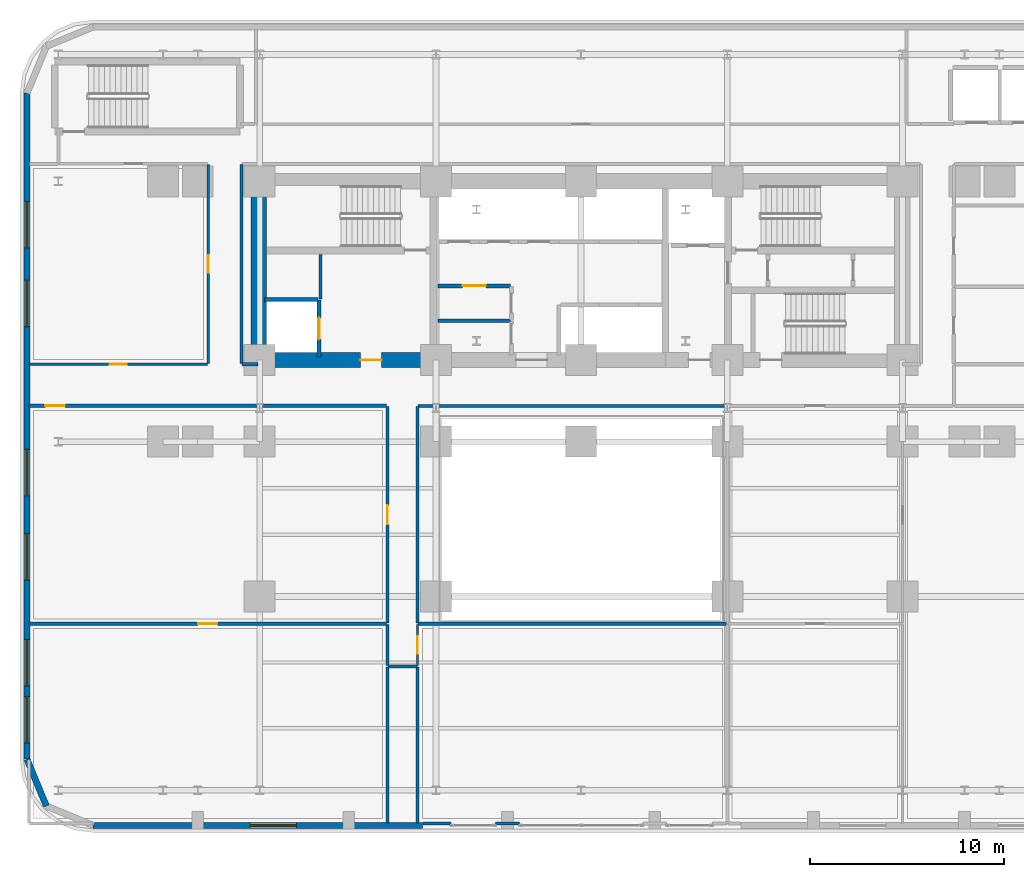
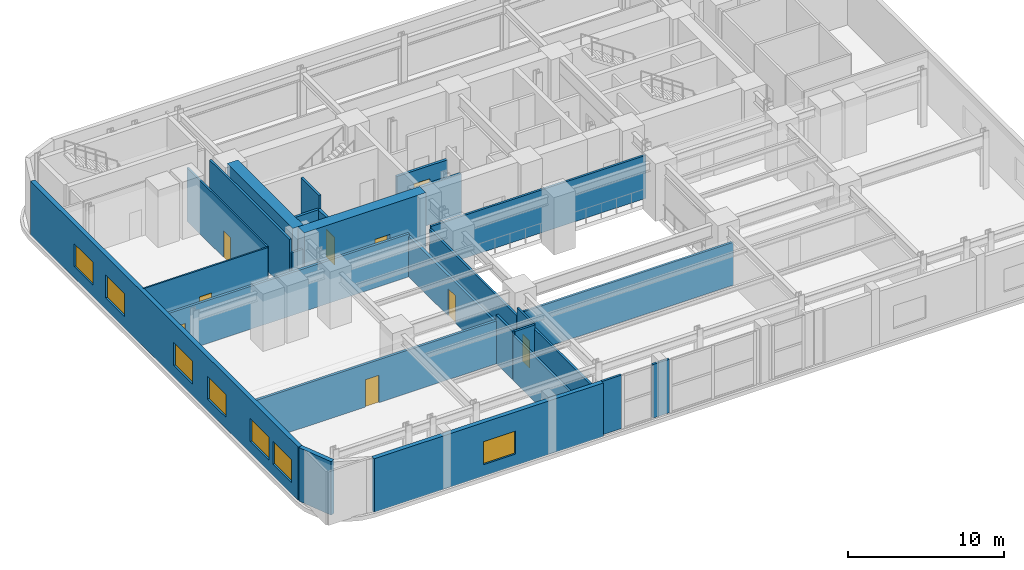
# One storey, part 6 of 14: 27 walls, 9 doors, 7 windows, 16 openings.
"""IFC4 building model written with IfcOpenShell, lengths in metres."""

from ifc_helpers import new_model, si_unit, direction, frame, frame_2d, origin, place, context, subcontext, project, spatial, rectangle, extrude, material, layer, layer_set, type_object, element, fill, save


model = new_model("IFC4")

# Units and contexts
model_context = context("Model", 3, precision=1e-05, world=origin(), true_north=direction((0.0, 1.0)))
body_context = subcontext(model_context, "Body", "Model", "MODEL_VIEW")
ifc_project = project(units=[si_unit("LENGTHUNIT", "METRE"), si_unit("AREAUNIT", "SQUARE_METRE"), si_unit("VOLUMEUNIT", "CUBIC_METRE"), si_unit("PLANEANGLEUNIT", "RADIAN"), si_unit("MASSUNIT", "GRAM", prefix="KILO")], contexts=[model_context])

# Site, building, storey
site_placement = place(None, origin())
site = spatial("IfcSite", under=ifc_project, at=site_placement, CompositionType="ELEMENT")
building_placement = place(site_placement, origin())
building = spatial("IfcBuilding", under=site, at=building_placement, Name="Zarnavel Station Tower", CompositionType="ELEMENT")
storey_placement = place(building_placement, frame((0.0, 0.0, 14.89990234375)))
storey = spatial("IfcBuildingStorey", under=building, at=storey_placement, Name="L04", CompositionType="ELEMENT", Elevation=14.89990234375)

# Wall, opening, door
ifc_material_1 = material(Name="Concrete C60/75", Category="concrete")
ifc_layer_1 = layer(ifc_material_1, 0.800048828125)
ifc_layer_set_1 = layer_set([ifc_layer_1], Name="CW_800")
wall_type_1 = type_object("IfcWallType", Name="CW_800", PredefinedType="SHEAR", material=ifc_layer_set_1)
wall_1_placement = place(storey_placement, frame((21.179931640625, 27.820068359375, 0.0), z_axis=(0.0, 0.0, 1.0), x_axis=(-1.0, 0.0, 0.0)))
wall_1 = element("IfcWall", 1, at=wall_1_placement, inside=storey, type_object=wall_type_1, Name="L04 Rear Core Shear Wall S-W", PredefinedType="SHEAR", context=body_context, shape_type="SweptSolid", body=[
    extrude(rectangle(XDim=9.030029296875, YDim=0.800048828125, at=frame_2d((4.51513671875, 0.0))), origin(), (0.0, 0.0, 1.0), 4.5),
])
opening_1_placement = place(wall_1_placement, frame((2.679931640625, 0.0, 0.0)))
opening_1 = element("IfcOpeningElement", 2, at=opening_1_placement, cuts=wall_1, Name="Opening FD01", PredefinedType="OPENING", context=body_context, shape_type="SweptSolid", body=[
    extrude(rectangle(XDim=1.10009765625, YDim=2.14990234375, at=frame_2d((0.550048828125, 1.074951171875))), frame((0.0, 0.409912109375, 0.0), z_axis=(0.0, -1.0, 0.0), x_axis=(1.0, 0.0, 0.0)), (0.0, 0.0, 1.0), 0.820068359375),
])
ifc_material_2 = material(Name="Painted Galvanised Steel and Hardwood Leaf", Category="steel")
door_type_1 = type_object("IfcDoorType", Name="ID_STAIR_1100", OperationType="NOTDEFINED", PredefinedType="DOOR", material=ifc_material_2)
door_1_placement = place(opening_1_placement, origin())
door_1 = element("IfcDoor", 3, at=door_1_placement, inside=storey, type_object=door_type_1, Name="L04 West Firefighting Lobby Door", OperationType="SINGLE_SWING_RIGHT", OverallHeight=2.14990234375, OverallWidth=1.10009765625, PredefinedType="DOOR", context=body_context, shape_type="SweptSolid", body=[
    extrude(rectangle(XDim=1.10009765625, YDim=2.14990234375, at=frame_2d((0.550048828125, 1.074951171875))), frame((0.0, 0.02490234375, 0.0), z_axis=(0.0, -1.0, 0.0), x_axis=(1.0, 0.0, 0.0)), (0.0, 0.0, 1.0), 0.050048828125),
])
fill(opening_1, door_1)

# Wall
wall_2_placement = place(storey_placement, frame((12.14990234375, 28.219970703125, 0.0), z_axis=(0.0, 0.0, 1.0), x_axis=(0.0, 1.0, 0.0)))
element("IfcWall", 4, at=wall_2_placement, inside=storey, type_object=wall_type_1, Name="L04 Rear Core Shear Wall W", PredefinedType="SHEAR", context=body_context, shape_type="SweptSolid", body=[
    extrude(rectangle(XDim=8.429931640625, YDim=0.800048828125, at=frame_2d((4.21484375, 0.0))), origin(), (0.0, 0.0, 1.0), 4.5),
])

# Wall, openings, windows
ifc_material_3 = material(Name="Precast concrete C45/55 (Podium Basalt Frame)", Category="masonry")
ifc_layer_2 = layer(ifc_material_3, 0.320068359375)
ifc_layer_set_2 = layer_set([ifc_layer_2], Name="EW_BASALT_320")
wall_type_2 = type_object("IfcWallType", Name="EW_BASALT_320", PredefinedType="SOLIDWALL", material=ifc_layer_set_2)
wall_3_placement = place(storey_placement, frame((0.179931640625, 7.199951171875, 0.0), z_axis=(0.0, 0.0, 1.0), x_axis=(0.0, 1.0, 0.0)))
wall_3 = element("IfcWall", 5, at=wall_3_placement, inside=storey, type_object=wall_type_2, Name="L04 Exterior Basalt Masonry Frame Wall 09", PredefinedType="SOLIDWALL", context=body_context, shape_type="SweptSolid", body=[
    extrude(rectangle(XDim=34.400146484375, YDim=0.320068359375, at=frame_2d((17.2001953125, 0.0))), origin(), (0.0, 0.0, 1.0), 4.2001953125),
])
opening_2_placement = place(wall_3_placement, frame((22.35009765625, 0.0, 0.89990234375)))
opening_2 = element("IfcOpeningElement", 6, at=opening_2_placement, cuts=wall_3, Name="Opening WN03", PredefinedType="OPENING", context=body_context, shape_type="SweptSolid", body=[
    extrude(rectangle(XDim=2.39990234375, YDim=1.800048828125, at=frame_2d((1.199951171875, 0.89990234375))), frame((0.0, 0.169921875, 0.0), z_axis=(0.0, -1.0, 0.0), x_axis=(1.0, 0.0, 0.0)), (0.0, 0.0, 1.0), 0.340087890625),
])
opening_3_placement = place(wall_3_placement, frame((26.39990234375, 0.0, 0.89990234375)))
opening_3 = element("IfcOpeningElement", 7, at=opening_3_placement, cuts=wall_3, Name="Opening WN03", PredefinedType="OPENING", context=body_context, shape_type="SweptSolid", body=[
    extrude(rectangle(XDim=2.39990234375, YDim=1.800048828125, at=frame_2d((1.199951171875, 0.89990234375))), frame((0.0, 0.169921875, 0.0), z_axis=(0.0, -1.0, 0.0), x_axis=(1.0, 0.0, 0.0)), (0.0, 0.0, 1.0), 0.340087890625),
])
opening_4_placement = place(wall_3_placement, frame((0.8466796875, 0.0, 0.89990234375)))
opening_4 = element("IfcOpeningElement", 8, at=opening_4_placement, cuts=wall_3, Name="Opening WN03", PredefinedType="OPENING", context=body_context, shape_type="SweptSolid", body=[
    extrude(rectangle(XDim=2.39990234375, YDim=1.800048828125, at=frame_2d((1.199951171875, 0.89990234375))), frame((0.0, 0.169921875, 0.0), z_axis=(0.0, -1.0, 0.0), x_axis=(1.0, 0.0, 0.0)), (0.0, 0.0, 1.0), 0.340087890625),
])
opening_5_placement = place(wall_3_placement, frame((3.773193359375, 0.0, 0.89990234375)))
opening_5 = element("IfcOpeningElement", 9, at=opening_5_placement, cuts=wall_3, Name="Opening WN03", PredefinedType="OPENING", context=body_context, shape_type="SweptSolid", body=[
    extrude(rectangle(XDim=2.39990234375, YDim=1.800048828125, at=frame_2d((1.199951171875, 0.89990234375))), frame((0.0, 0.169921875, 0.0), z_axis=(0.0, -1.0, 0.0), x_axis=(1.0, 0.0, 0.0)), (0.0, 0.0, 1.0), 0.340087890625),
])
opening_6_placement = place(wall_3_placement, frame((9.25, 0.0, 0.89990234375)))
opening_6 = element("IfcOpeningElement", 10, at=opening_6_placement, cuts=wall_3, Name="Opening WN03", PredefinedType="OPENING", context=body_context, shape_type="SweptSolid", body=[
    extrude(rectangle(XDim=2.39990234375, YDim=1.800048828125, at=frame_2d((1.199951171875, 0.89990234375))), frame((0.0, 0.169921875, 0.0), z_axis=(0.0, -1.0, 0.0), x_axis=(1.0, 0.0, 0.0)), (0.0, 0.0, 1.0), 0.340087890625),
])
opening_7_placement = place(wall_3_placement, frame((13.60009765625, 0.0, 0.89990234375)))
opening_7 = element("IfcOpeningElement", 11, at=opening_7_placement, cuts=wall_3, Name="Opening WN03", PredefinedType="OPENING", context=body_context, shape_type="SweptSolid", body=[
    extrude(rectangle(XDim=2.39990234375, YDim=1.800048828125, at=frame_2d((1.199951171875, 0.89990234375))), frame((0.0, 0.169921875, 0.0), z_axis=(0.0, -1.0, 0.0), x_axis=(1.0, 0.0, 0.0)), (0.0, 0.0, 1.0), 0.340087890625),
])
ifc_material_4 = material(Name="Thermally Broken Black Aluminium and Low-E Dark Glass", Category="aluminium")
window_type = type_object("IfcWindowType", Name="WN_2400x1800", PartitioningType="TRIPLE_PANEL_VERTICAL", PredefinedType="WINDOW", material=ifc_material_4)
window_1_placement = place(opening_2_placement, origin())
window_1 = element("IfcWindow", 12, at=window_1_placement, inside=storey, type_object=window_type, Name="L04 Recessed Facade Window 01", OverallHeight=1.800048828125, OverallWidth=2.39990234375, PartitioningType="SINGLE_PANEL", PredefinedType="WINDOW", context=body_context, shape_type="SweptSolid", body=[
    extrude(rectangle(XDim=2.39990234375, YDim=1.800048828125, at=frame_2d((1.199951171875, 0.89990234375))), frame((0.0, 0.030029296875, 0.0), z_axis=(0.0, -1.0, 0.0), x_axis=(1.0, 0.0, 0.0)), (0.0, 0.0, 1.0), 0.06005859375),
])
fill(opening_2, window_1)
window_2_placement = place(opening_3_placement, origin())
window_2 = element("IfcWindow", 13, at=window_2_placement, inside=storey, type_object=window_type, Name="L04 Recessed Facade Window 02", OverallHeight=1.800048828125, OverallWidth=2.39990234375, PartitioningType="SINGLE_PANEL", PredefinedType="WINDOW", context=body_context, shape_type="SweptSolid", body=[
    extrude(rectangle(XDim=2.39990234375, YDim=1.800048828125, at=frame_2d((1.199951171875, 0.89990234375))), frame((0.0, 0.030029296875, 0.0), z_axis=(0.0, -1.0, 0.0), x_axis=(1.0, 0.0, 0.0)), (0.0, 0.0, 1.0), 0.06005859375),
])
fill(opening_3, window_2)
window_3_placement = place(opening_4_placement, origin())
window_3 = element("IfcWindow", 14, at=window_3_placement, inside=storey, type_object=window_type, Name="L04 Recessed Facade Window 03", OverallHeight=1.800048828125, OverallWidth=2.39990234375, PartitioningType="SINGLE_PANEL", PredefinedType="WINDOW", context=body_context, shape_type="SweptSolid", body=[
    extrude(rectangle(XDim=2.39990234375, YDim=1.800048828125, at=frame_2d((1.199951171875, 0.89990234375))), frame((0.0, 0.030029296875, 0.0), z_axis=(0.0, -1.0, 0.0), x_axis=(1.0, 0.0, 0.0)), (0.0, 0.0, 1.0), 0.06005859375),
])
fill(opening_4, window_3)
window_4_placement = place(opening_5_placement, origin())
window_4 = element("IfcWindow", 15, at=window_4_placement, inside=storey, type_object=window_type, Name="L04 Recessed Facade Window 04", OverallHeight=1.800048828125, OverallWidth=2.39990234375, PartitioningType="SINGLE_PANEL", PredefinedType="WINDOW", context=body_context, shape_type="SweptSolid", body=[
    extrude(rectangle(XDim=2.39990234375, YDim=1.800048828125, at=frame_2d((1.199951171875, 0.89990234375))), frame((0.0, 0.030029296875, 0.0), z_axis=(0.0, -1.0, 0.0), x_axis=(1.0, 0.0, 0.0)), (0.0, 0.0, 1.0), 0.06005859375),
])
fill(opening_5, window_4)
window_5_placement = place(opening_6_placement, origin())
window_5 = element("IfcWindow", 16, at=window_5_placement, inside=storey, type_object=window_type, Name="L04 Recessed Facade Window 05", OverallHeight=1.800048828125, OverallWidth=2.39990234375, PartitioningType="SINGLE_PANEL", PredefinedType="WINDOW", context=body_context, shape_type="SweptSolid", body=[
    extrude(rectangle(XDim=2.39990234375, YDim=1.800048828125, at=frame_2d((1.199951171875, 0.89990234375))), frame((0.0, 0.030029296875, 0.0), z_axis=(0.0, -1.0, 0.0), x_axis=(1.0, 0.0, 0.0)), (0.0, 0.0, 1.0), 0.06005859375),
])
fill(opening_6, window_5)
window_6_placement = place(opening_7_placement, origin())
window_6 = element("IfcWindow", 17, at=window_6_placement, inside=storey, type_object=window_type, Name="L04 Recessed Facade Window 06", OverallHeight=1.800048828125, OverallWidth=2.39990234375, PartitioningType="SINGLE_PANEL", PredefinedType="WINDOW", context=body_context, shape_type="SweptSolid", body=[
    extrude(rectangle(XDim=2.39990234375, YDim=1.800048828125, at=frame_2d((1.199951171875, 0.89990234375))), frame((0.0, 0.030029296875, 0.0), z_axis=(0.0, -1.0, 0.0), x_axis=(1.0, 0.0, 0.0)), (0.0, 0.0, 1.0), 0.06005859375),
])
fill(opening_7, window_6)

# Wall
wall_4_placement = place(storey_placement, frame((1.181640625, 4.78173828125, 0.0), z_axis=(0.0, 0.0, 1.0), x_axis=(-0.382700522567, 0.923872453333, 0.0)))
element("IfcWall", 18, at=wall_4_placement, inside=storey, type_object=wall_type_2, Name="L04 Exterior Basalt Masonry Frame Wall 10", PredefinedType="SOLIDWALL", context=body_context, shape_type="SweptSolid", body=[
    extrude(rectangle(XDim=2.617431640625, YDim=0.320068359375, at=frame_2d((1.30859375, 0.0))), origin(), (0.0, 0.0, 1.0), 4.2001953125),
])

# Wall, opening, window
wall_5_placement = place(storey_placement, frame((20.60009765625, 3.780029296875, 0.0), z_axis=(0.0, 0.0, 1.0), x_axis=(-1.0, 0.0, 0.0)))
wall_5 = element("IfcWall", 19, at=wall_5_placement, inside=storey, type_object=wall_type_2, Name="L04 South West Masonry Facade Wall", PredefinedType="SOLIDWALL", context=body_context, shape_type="SweptSolid", body=[
    extrude(rectangle(XDim=17.0, YDim=0.320068359375, at=frame_2d((8.5, 0.0))), origin(), (0.0, 0.0, 1.0), 4.2001953125),
])
opening_8_placement = place(wall_5_placement, frame((6.5, 0.0, 0.89990234375)))
opening_8 = element("IfcOpeningElement", 20, at=opening_8_placement, cuts=wall_5, Name="Opening WN03", PredefinedType="OPENING", context=body_context, shape_type="SweptSolid", body=[
    extrude(rectangle(XDim=2.39990234375, YDim=1.800048828125, at=frame_2d((1.199951171875, 0.89990234375))), frame((0.0, 0.169921875, 0.0), z_axis=(0.0, -1.0, 0.0), x_axis=(1.0, 0.0, 0.0)), (0.0, 0.0, 1.0), 0.340087890625),
])
window_7_placement = place(opening_8_placement, origin())
window_7 = element("IfcWindow", 21, at=window_7_placement, inside=storey, type_object=window_type, Name="L04 Recessed Facade Window 01", OverallHeight=1.800048828125, OverallWidth=2.39990234375, PartitioningType="SINGLE_PANEL", PredefinedType="WINDOW", context=body_context, shape_type="SweptSolid", body=[
    extrude(rectangle(XDim=2.39990234375, YDim=1.800048828125, at=frame_2d((1.199951171875, 0.89990234375))), frame((0.0, 0.030029296875, 0.0), z_axis=(0.0, -1.0, 0.0), x_axis=(1.0, 0.0, 0.0)), (0.0, 0.0, 1.0), 0.06005859375),
])
fill(opening_8, window_7)

# Walls
ifc_material_5 = material(Name="Gypsum Twin-Stud Acoustic Fire Partition", Category="concrete")
ifc_layer_3 = layer(ifc_material_5, 0.159912109375)
ifc_layer_set_3 = layer_set([ifc_layer_3], Name="PT_DEMISE_160")
wall_type_3 = type_object("IfcWallType", Name="PT_DEMISE_160", PredefinedType="PARTITIONING", material=ifc_layer_set_3)
wall_6_placement = place(storey_placement, frame((18.800048828125, 12.0400390625, 0.0), z_axis=(0.0, 0.0, 1.0), x_axis=(0.0, 1.0, 0.0)))
element("IfcWall", 22, at=wall_6_placement, inside=storey, type_object=wall_type_3, Name="L04 Partition PCOR-AW-REST1", PredefinedType="PARTITIONING", context=body_context, shape_type="SweptSolid", body=[
    extrude(rectangle(XDim=2.119873046875, YDim=0.159912109375, at=frame_2d((1.06005859375, 0.0))), origin(), (0.0, 0.0, 1.0), 3.820068359375),
])
wall_7_placement = place(storey_placement, frame((15.35009765625, 30.9599609375, 0.0), z_axis=(0.0, 0.0, 1.0), x_axis=(0.0, 1.0, 0.0)))
element("IfcWall", 23, at=wall_7_placement, inside=storey, type_object=wall_type_3, Name="L04 Enclosure Wall FFL1", PredefinedType="PARTITIONING", context=body_context, shape_type="SweptSolid", body=[
    extrude(rectangle(XDim=2.31005859375, YDim=0.159912109375, at=frame_2d((1.155029296875, 0.0))), origin(), (0.0, 0.0, 1.0), 4.2001953125),
])
wall_8_placement = place(storey_placement, frame((20.3798828125, 25.449951171875, 0.0), z_axis=(0.0, 0.0, 1.0), x_axis=(1.0, 0.0, 0.0)))
element("IfcWall", 24, at=wall_8_placement, inside=storey, type_object=wall_type_3, Name="L04 Enclosure Wall PCOR-S", PredefinedType="PARTITIONING", context=body_context, shape_type="SweptSolid", body=[
    extrude(rectangle(XDim=15.940185546875, YDim=0.159912109375, at=frame_2d((7.97021484375, 0.0))), origin(), (0.0, 0.0, 1.0), 3.3662109375),
])
wall_9_placement = place(storey_placement, frame((11.280029296875, 27.60009765625, 0.0), z_axis=(0.0, 0.0, 1.0), x_axis=(1.0, 0.0, 0.0)))
element("IfcWall", 25, at=wall_9_placement, inside=storey, type_object=wall_type_3, Name="L04 Enclosure Wall PCOR-S", PredefinedType="PARTITIONING", context=body_context, shape_type="SweptSolid", body=[
    extrude(rectangle(XDim=0.840087890625, YDim=0.159912109375, at=frame_2d((0.419921875, 0.0))), origin(), (0.0, 0.0, 1.0), 3.172119140625),
])
wall_10_placement = place(storey_placement, frame((11.25, 27.6298828125, 0.0), z_axis=(0.0, 0.0, 1.0), x_axis=(0.0, 1.0, 0.0)))
element("IfcWall", 26, at=wall_10_placement, inside=storey, type_object=wall_type_3, Name="L04 Enclosure Wall PCOR-W", PredefinedType="PARTITIONING", context=body_context, shape_type="SweptSolid", body=[
    extrude(rectangle(XDim=10.2900390625, YDim=0.159912109375, at=frame_2d((5.14501953125, 0.0))), origin(), (0.0, 0.0, 1.0), 4.2001953125),
])
wall_11_placement = place(storey_placement, frame((18.830078125, 12.0, 0.0), z_axis=(0.0, 0.0, 1.0), x_axis=(1.0, 0.0, 0.0)))
element("IfcWall", 27, at=wall_11_placement, inside=storey, type_object=wall_type_3, Name="L04 Enclosure Wall PCOR-AW", PredefinedType="PARTITIONING", context=body_context, shape_type="SweptSolid", body=[
    extrude(rectangle(XDim=1.489990234375, YDim=0.159912109375, at=frame_2d((0.7451171875, 0.0))), origin(), (0.0, 0.0, 1.0), 3.820068359375),
])
wall_12_placement = place(storey_placement, frame((20.35009765625, 14.22998046875, 0.0), z_axis=(0.0, 0.0, 1.0), x_axis=(0.0, 1.0, 0.0)))
element("IfcWall", 28, at=wall_12_placement, inside=storey, type_object=wall_type_3, Name="L04 Enclosure Wall PCOR-AW", PredefinedType="PARTITIONING", context=body_context, shape_type="SweptSolid", body=[
    extrude(rectangle(XDim=11.18994140625, YDim=0.159912109375, at=frame_2d((5.594970703125, 0.0))), origin(), (0.0, 0.0, 1.0), 3.172119140625),
])
wall_13_placement = place(storey_placement, frame((18.800048828125, 3.909912109375, 0.0), z_axis=(0.0, 0.0, 1.0), x_axis=(0.0, 1.0, 0.0)))
element("IfcWall", 29, at=wall_13_placement, inside=storey, type_object=wall_type_3, Name="L04 Enclosure Wall REST1", PredefinedType="PARTITIONING", context=body_context, shape_type="SweptSolid", body=[
    extrude(rectangle(XDim=8.06005859375, YDim=0.159912109375, at=frame_2d((4.030029296875, 0.0))), origin(), (0.0, 0.0, 1.0), 3.530029296875),
])
wall_14_placement = place(storey_placement, frame((20.6298828125, 3.8798828125, 0.0), z_axis=(0.0, 0.0, 1.0), x_axis=(1.0, 0.0, 0.0)))
element("IfcWall", 30, at=wall_14_placement, inside=storey, type_object=wall_type_3, Name="L04 Enclosure Wall TERD", PredefinedType="PARTITIONING", context=body_context, shape_type="SweptSolid", body=[
    extrude(rectangle(XDim=1.440185546875, YDim=0.159912109375, at=frame_2d((0.72021484375, 0.0))), origin(), (0.0, 0.0, 1.0), 4.2001953125),
])
wall_15_placement = place(storey_placement, frame((24.385986328125, 3.8798828125, 0.0), z_axis=(0.0, 0.0, 1.0), x_axis=(1.0, 0.0, 0.0)))
element("IfcWall", 31, at=wall_15_placement, inside=storey, type_object=wall_type_3, Name="L04 Enclosure Wall TERD", PredefinedType="PARTITIONING", context=body_context, shape_type="SweptSolid", body=[
    extrude(rectangle(XDim=1.22802734375, YDim=0.159912109375, at=frame_2d((0.614013671875, 0.0))), origin(), (0.0, 0.0, 1.0), 4.2001953125),
])
wall_16_placement = place(storey_placement, frame((20.3798828125, 14.199951171875, 0.0), z_axis=(0.0, 0.0, 1.0), x_axis=(1.0, 0.0, 0.0)))
element("IfcWall", 32, at=wall_16_placement, inside=storey, type_object=wall_type_3, Name="L04 Enclosure Wall TERD", PredefinedType="PARTITIONING", context=body_context, shape_type="SweptSolid", body=[
    extrude(rectangle(XDim=15.940185546875, YDim=0.159912109375, at=frame_2d((7.97021484375, 0.0))), origin(), (0.0, 0.0, 1.0), 3.3662109375),
])
wall_17_placement = place(storey_placement, frame((20.35009765625, 3.909912109375, 0.0), z_axis=(0.0, 0.0, 1.0), x_axis=(0.0, 1.0, 0.0)))
element("IfcWall", 33, at=wall_17_placement, inside=storey, type_object=wall_type_3, Name="L04 Enclosure Wall TERD", PredefinedType="PARTITIONING", context=body_context, shape_type="SweptSolid", body=[
    extrude(rectangle(XDim=8.06005859375, YDim=0.159912109375, at=frame_2d((4.030029296875, 0.0))), origin(), (0.0, 0.0, 1.0), 3.530029296875),
])

# Wall, opening, door
ifc_material_6 = material(Name="Gypsum Metal-Stud Interior Partition", Category="concrete")
ifc_layer_4 = layer(ifc_material_6, 0.1201171875)
ifc_layer_set_4 = layer_set([ifc_layer_4], Name="PT_ROOM_120")
wall_type_4 = type_object("IfcWallType", Name="PT_ROOM_120", PredefinedType="PARTITIONING", material=ifc_layer_set_4)
wall_18_placement = place(storey_placement, frame((0.280029296875, 27.60009765625, 0.0), z_axis=(0.0, 0.0, 1.0), x_axis=(1.0, 0.0, 0.0)))
wall_18 = element("IfcWall", 34, at=wall_18_placement, inside=storey, type_object=wall_type_4, Name="L04 Partition PCOR-S-PNW", PredefinedType="PARTITIONING", context=body_context, shape_type="SweptSolid", body=[
    extrude(rectangle(XDim=9.22998046875, YDim=0.1201171875, at=frame_2d((4.614990234375, 0.0))), origin(), (0.0, 0.0, 1.0), 4.2001953125),
])
opening_9_placement = place(wall_18_placement, frame((4.1650390625, 0.0, 0.0)))
opening_9 = element("IfcOpeningElement", 35, at=opening_9_placement, cuts=wall_18, Name="Opening ID01", PredefinedType="OPENING", context=body_context, shape_type="SweptSolid", body=[
    extrude(rectangle(XDim=0.89990234375, YDim=2.10009765625, at=frame_2d((0.449951171875, 1.050048828125))), frame((0.0, 0.070068359375, 0.0), z_axis=(0.0, -1.0, 0.0), x_axis=(1.0, 0.0, 0.0)), (0.0, 0.0, 1.0), 0.14013671875),
])
ifc_material_7 = material(Name="Painted Galvanised Steel and Hardwood Leaf", Category="steel")
door_type_2 = type_object("IfcDoorType", Name="ID_ROOM_900", OperationType="NOTDEFINED", PredefinedType="DOOR", material=ifc_material_7)
door_2_placement = place(opening_9_placement, origin())
door_2 = element("IfcDoor", 36, at=door_2_placement, inside=storey, type_object=door_type_2, Name="L04 Door PCOR-S-PNW", OperationType="SINGLE_SWING_RIGHT", OverallHeight=2.10009765625, OverallWidth=0.89990234375, PredefinedType="DOOR", context=body_context, shape_type="SweptSolid", body=[
    extrude(rectangle(XDim=0.89990234375, YDim=2.10009765625, at=frame_2d((0.449951171875, 1.050048828125))), frame((0.0, 0.02490234375, 0.0), z_axis=(0.0, -1.0, 0.0), x_axis=(1.0, 0.0, 0.0)), (0.0, 0.0, 1.0), 0.050048828125),
])
fill(opening_9, door_2)

wall_19_placement = place(storey_placement, frame((9.550048828125, 27.639892578125, 0.0), z_axis=(0.0, 0.0, 1.0), x_axis=(0.0, 1.0, 0.0)))
wall_19 = element("IfcWall", 37, at=wall_19_placement, inside=storey, type_object=wall_type_4, Name="L04 Partition PCOR-W-PNW", PredefinedType="PARTITIONING", context=body_context, shape_type="SweptSolid", body=[
    extrude(rectangle(XDim=10.27001953125, YDim=0.1201171875, at=frame_2d((5.135009765625, 0.0))), origin(), (0.0, 0.0, 1.0), 4.2001953125),
])
opening_10_placement = place(wall_19_placement, frame((4.68505859375, 0.0, 0.0)))
opening_10 = element("IfcOpeningElement", 38, at=opening_10_placement, cuts=wall_19, Name="Opening ID01", PredefinedType="OPENING", context=body_context, shape_type="SweptSolid", body=[
    extrude(rectangle(XDim=0.89990234375, YDim=2.10009765625, at=frame_2d((0.449951171875, 1.050048828125))), frame((0.0, 0.070068359375, 0.0), z_axis=(0.0, -1.0, 0.0), x_axis=(1.0, 0.0, 0.0)), (0.0, 0.0, 1.0), 0.14013671875),
])
door_3_placement = place(opening_10_placement, origin())
door_3 = element("IfcDoor", 39, at=door_3_placement, inside=storey, type_object=door_type_2, Name="L04 Door PCOR-W-PNW", OperationType="SINGLE_SWING_LEFT", OverallHeight=2.10009765625, OverallWidth=0.89990234375, PredefinedType="DOOR", context=body_context, shape_type="SweptSolid", body=[
    extrude(rectangle(XDim=0.89990234375, YDim=2.10009765625, at=frame_2d((0.449951171875, 1.050048828125))), frame((0.0, 0.02490234375, 0.0), z_axis=(0.0, -1.0, 0.0), x_axis=(1.0, 0.0, 0.0)), (0.0, 0.0, 1.0), 0.050048828125),
])
fill(opening_10, door_3)

wall_20_placement = place(storey_placement, frame((20.35009765625, 12.0400390625, 0.0), z_axis=(0.0, 0.0, 1.0), x_axis=(0.0, 1.0, 0.0)))
wall_20 = element("IfcWall", 40, at=wall_20_placement, inside=storey, type_object=wall_type_4, Name="L04 Partition PCOR-AW-TERD", PredefinedType="PARTITIONING", context=body_context, shape_type="SweptSolid", body=[
    extrude(rectangle(XDim=2.119873046875, YDim=0.1201171875, at=frame_2d((1.06005859375, 0.0))), origin(), (0.0, 0.0, 1.0), 3.820068359375),
])
opening_11_placement = place(wall_20_placement, frame((0.610107421875, 0.0, 0.0)))
opening_11 = element("IfcOpeningElement", 41, at=opening_11_placement, cuts=wall_20, Name="Opening ID01", PredefinedType="OPENING", context=body_context, shape_type="SweptSolid", body=[
    extrude(rectangle(XDim=0.89990234375, YDim=2.10009765625, at=frame_2d((0.449951171875, 1.050048828125))), frame((0.0, 0.070068359375, 0.0), z_axis=(0.0, -1.0, 0.0), x_axis=(1.0, 0.0, 0.0)), (0.0, 0.0, 1.0), 0.14013671875),
])
door_4_placement = place(opening_11_placement, origin())
door_4 = element("IfcDoor", 42, at=door_4_placement, inside=storey, type_object=door_type_2, Name="L04 Door PCOR-AW-TERD", OperationType="SINGLE_SWING_RIGHT", OverallHeight=2.10009765625, OverallWidth=0.89990234375, PredefinedType="DOOR", context=body_context, shape_type="SweptSolid", body=[
    extrude(rectangle(XDim=0.89990234375, YDim=2.10009765625, at=frame_2d((0.449951171875, 1.050048828125))), frame((0.0, 0.02490234375, 0.0), z_axis=(0.0, -1.0, 0.0), x_axis=(1.0, 0.0, 0.0)), (0.0, 0.0, 1.0), 0.050048828125),
])
fill(opening_11, door_4)

ifc_material_8 = material(Name="Precast concrete C45/55 (Fire Shaft Blockwork)", Category="masonry")
ifc_layer_5 = layer(ifc_material_8, 0.199951171875)
ifc_layer_set_5 = layer_set([ifc_layer_5], Name="PT_SHAFT_200")
wall_type_5 = type_object("IfcWallType", Name="PT_SHAFT_200", PredefinedType="PARTITIONING", material=ifc_layer_set_5)
wall_21_placement = place(storey_placement, frame((15.27001953125, 27.969970703125, 0.0), z_axis=(0.0, 0.0, 1.0), x_axis=(0.0, 1.0, 0.0)))
wall_21 = element("IfcWall", 43, at=wall_21_placement, inside=storey, type_object=wall_type_5, Name="L04 Lift FFL-01 Shaft Front Wall", PredefinedType="PARTITIONING", context=body_context, shape_type="SweptSolid", body=[
    extrude(rectangle(XDim=2.9599609375, YDim=0.199951171875, at=frame_2d((1.47998046875, 0.0))), origin(), (0.0, 0.0, 1.0), 3.172119140625),
])
opening_12_placement = place(wall_21_placement, frame((0.929931640625, 0.0, 0.0)))
opening_12 = element("IfcOpeningElement", 44, at=opening_12_placement, cuts=wall_21, Name="Opening LD01", PredefinedType="OPENING", context=body_context, shape_type="SweptSolid", body=[
    extrude(rectangle(XDim=1.10009765625, YDim=2.14990234375, at=frame_2d((0.550048828125, 1.074951171875))), frame((0.0, 0.10986328125, 0.0), z_axis=(0.0, -1.0, 0.0), x_axis=(1.0, 0.0, 0.0)), (0.0, 0.0, 1.0), 0.219970703125),
])
ifc_material_9 = material(Name="Painted Galvanised Steel and Hardwood Leaf", Category="steel")
door_type_3 = type_object("IfcDoorType", Name="LD_FF_1100", OperationType="DOUBLE_DOOR_SLIDING", PredefinedType="DOOR", material=ifc_material_9)
door_5_placement = place(opening_12_placement, origin())
door_5 = element("IfcDoor", 45, at=door_5_placement, inside=storey, type_object=door_type_3, Name="L04 Lift FFL-01 Sliding Landing Door", OperationType="DOUBLE_DOOR_SLIDING", OverallHeight=2.14990234375, OverallWidth=1.10009765625, PredefinedType="DOOR", context=body_context, shape_type="SweptSolid", body=[
    extrude(rectangle(XDim=1.10009765625, YDim=2.14990234375, at=frame_2d((0.550048828125, 1.074951171875))), frame((0.0, 0.02490234375, 0.0), z_axis=(0.0, -1.0, 0.0), x_axis=(1.0, 0.0, 0.0)), (0.0, 0.0, 1.0), 0.050048828125),
])
fill(opening_12, door_5)

# Wall
wall_22_placement = place(storey_placement, frame((12.449951171875, 30.949951171875, 0.0), z_axis=(0.0, 0.0, 1.0), x_axis=(1.0, 0.0, 0.0)))
element("IfcWall", 46, at=wall_22_placement, inside=storey, type_object=wall_type_5, Name="L04 Lift FFL-01 North Shaft Wall", PredefinedType="PARTITIONING", context=body_context, shape_type="SweptSolid", body=[
    extrude(rectangle(XDim=2.75, YDim=0.199951171875, at=frame_2d((1.375, 0.0))), origin(), (0.0, 0.0, 1.0), 3.172119140625),
])

# Wall, opening, door
wall_23_placement = place(storey_placement, frame((21.39990234375, 31.64990234375, 0.0), z_axis=(0.0, 0.0, 1.0), x_axis=(1.0, 0.0, 0.0)))
wall_23 = element("IfcWall", 47, at=wall_23_placement, inside=storey, type_object=wall_type_5, Name="L04 Partition LLOB-CS2", PredefinedType="PARTITIONING", context=body_context, shape_type="SweptSolid", body=[
    extrude(rectangle(XDim=3.760009765625, YDim=0.199951171875, at=frame_2d((1.8798828125, 0.0))), origin(), (0.0, 0.0, 1.0), 3.172119140625),
])
opening_13_placement = place(wall_23_placement, frame((1.280029296875, 0.0, 0.0)))
opening_13 = element("IfcOpeningElement", 48, at=opening_13_placement, cuts=wall_23, Name="Opening FD03", PredefinedType="OPENING", context=body_context, shape_type="SweptSolid", body=[
    extrude(rectangle(XDim=1.199951171875, YDim=2.14990234375, at=frame_2d((0.60009765625, 1.074951171875))), frame((0.0, 0.10986328125, 0.0), z_axis=(0.0, -1.0, 0.0), x_axis=(1.0, 0.0, 0.0)), (0.0, 0.0, 1.0), 0.219970703125),
])
ifc_material_10 = material(Name="Painted Galvanised Steel and Hardwood Leaf", Category="steel")
door_type_4 = type_object("IfcDoorType", Name="ID_PLANT_1200", OperationType="NOTDEFINED", PredefinedType="DOOR", material=ifc_material_10)
door_6_placement = place(opening_13_placement, origin())
door_6 = element("IfcDoor", 49, at=door_6_placement, inside=storey, type_object=door_type_4, Name="L04 Door LLOB-CS2", OperationType="SINGLE_SWING_LEFT", OverallHeight=2.14990234375, OverallWidth=1.199951171875, PredefinedType="DOOR", context=body_context, shape_type="SweptSolid", body=[
    extrude(rectangle(XDim=1.199951171875, YDim=2.14990234375, at=frame_2d((0.60009765625, 1.074951171875))), frame((0.0, 0.02490234375, 0.0), z_axis=(0.0, -1.0, 0.0), x_axis=(1.0, 0.0, 0.0)), (0.0, 0.0, 1.0), 0.050048828125),
])
fill(opening_13, door_6)

# Wall
wall_24_placement = place(storey_placement, frame((21.39990234375, 29.85009765625, 0.0), z_axis=(0.0, 0.0, 1.0), x_axis=(1.0, 0.0, 0.0)))
element("IfcWall", 50, at=wall_24_placement, inside=storey, type_object=wall_type_5, Name="L04 Partition CS1-CS2", PredefinedType="PARTITIONING", context=body_context, shape_type="SweptSolid", body=[
    extrude(rectangle(XDim=3.760009765625, YDim=0.199951171875, at=frame_2d((1.8798828125, 0.0))), origin(), (0.0, 0.0, 1.0), 3.172119140625),
])

# Wall, opening, door
ifc_material_11 = material(Name="Moisture-Resistant Plumbing Chase Wall", Category="concrete")
ifc_layer_6 = layer(ifc_material_11, 0.179931640625)
ifc_layer_set_6 = layer_set([ifc_layer_6], Name="PW_PLUMB_180")
wall_type_6 = type_object("IfcWallType", Name="PW_PLUMB_180", PredefinedType="PLUMBINGWALL", material=ifc_layer_set_6)
wall_25_placement = place(storey_placement, frame((0.280029296875, 25.449951171875, 0.0), z_axis=(0.0, 0.0, 1.0), x_axis=(1.0, 0.0, 0.0)))
wall_25 = element("IfcWall", 51, at=wall_25_placement, inside=storey, type_object=wall_type_6, Name="L04 Partition PCOR-S-CKIT", PredefinedType="PLUMBINGWALL", context=body_context, shape_type="SweptSolid", body=[
    extrude(rectangle(XDim=18.47998046875, YDim=0.179931640625, at=frame_2d((9.239990234375, 0.0))), origin(), (0.0, 0.0, 1.0), 3.3662109375),
])
opening_14_placement = place(wall_25_placement, frame((0.856689453125, 0.0, 0.0)))
opening_14 = element("IfcOpeningElement", 52, at=opening_14_placement, cuts=wall_25, Name="Opening FD02", PredefinedType="OPENING", context=body_context, shape_type="SweptSolid", body=[
    extrude(rectangle(XDim=1.0, YDim=2.14990234375, at=frame_2d((0.5, 1.074951171875))), frame((0.0, 0.099853515625, 0.0), z_axis=(0.0, -1.0, 0.0), x_axis=(1.0, 0.0, 0.0)), (0.0, 0.0, 1.0), 0.199951171875),
])
ifc_material_12 = material(Name="Painted Galvanised Steel and Hardwood Leaf", Category="steel")
door_type_5 = type_object("IfcDoorType", Name="ID_ENTRY_1000", OperationType="NOTDEFINED", PredefinedType="DOOR", material=ifc_material_12)
door_7_placement = place(opening_14_placement, origin())
door_7 = element("IfcDoor", 53, at=door_7_placement, inside=storey, type_object=door_type_5, Name="L04 Door PCOR-S-CKIT", OperationType="SINGLE_SWING_LEFT", OverallHeight=2.14990234375, OverallWidth=1.0, PredefinedType="DOOR", context=body_context, shape_type="SweptSolid", body=[
    extrude(rectangle(XDim=1.0, YDim=2.14990234375, at=frame_2d((0.5, 1.074951171875))), frame((0.0, 0.02490234375, 0.0), z_axis=(0.0, -1.0, 0.0), x_axis=(1.0, 0.0, 0.0)), (0.0, 0.0, 1.0), 0.050048828125),
])
fill(opening_14, door_7)

wall_26_placement = place(storey_placement, frame((18.800048828125, 14.239990234375, 0.0), z_axis=(0.0, 0.0, 1.0), x_axis=(0.0, 1.0, 0.0)))
wall_26 = element("IfcWall", 54, at=wall_26_placement, inside=storey, type_object=wall_type_6, Name="L04 Partition PCOR-AW-CKIT", PredefinedType="PLUMBINGWALL", context=body_context, shape_type="SweptSolid", body=[
    extrude(rectangle(XDim=11.169921875, YDim=0.179931640625, at=frame_2d((5.5849609375, 0.0))), origin(), (0.0, 0.0, 1.0), 3.172119140625),
])
opening_15_placement = place(wall_26_placement, frame((5.0849609375, 0.0, 0.0)))
opening_15 = element("IfcOpeningElement", 55, at=opening_15_placement, cuts=wall_26, Name="Opening FD02", PredefinedType="OPENING", context=body_context, shape_type="SweptSolid", body=[
    extrude(rectangle(XDim=1.0, YDim=2.14990234375, at=frame_2d((0.5, 1.074951171875))), frame((0.0, 0.099853515625, 0.0), z_axis=(0.0, -1.0, 0.0), x_axis=(1.0, 0.0, 0.0)), (0.0, 0.0, 1.0), 0.199951171875),
])
door_8_placement = place(opening_15_placement, origin())
door_8 = element("IfcDoor", 56, at=door_8_placement, inside=storey, type_object=door_type_5, Name="L04 Door PCOR-AW-CKIT", OperationType="SINGLE_SWING_LEFT", OverallHeight=2.14990234375, OverallWidth=1.0, PredefinedType="DOOR", context=body_context, shape_type="SweptSolid", body=[
    extrude(rectangle(XDim=1.0, YDim=2.14990234375, at=frame_2d((0.5, 1.074951171875))), frame((0.0, 0.02490234375, 0.0), z_axis=(0.0, -1.0, 0.0), x_axis=(1.0, 0.0, 0.0)), (0.0, 0.0, 1.0), 0.050048828125),
])
fill(opening_15, door_8)

wall_27_placement = place(storey_placement, frame((0.280029296875, 14.199951171875, 0.0), z_axis=(0.0, 0.0, 1.0), x_axis=(1.0, 0.0, 0.0)))
wall_27 = element("IfcWall", 57, at=wall_27_placement, inside=storey, type_object=wall_type_6, Name="L04 Partition REST1-CKIT", PredefinedType="PLUMBINGWALL", context=body_context, shape_type="SweptSolid", body=[
    extrude(rectangle(XDim=18.47998046875, YDim=0.179931640625, at=frame_2d((9.239990234375, 0.0))), origin(), (0.0, 0.0, 1.0), 3.3662109375),
])
opening_16_placement = place(wall_27_placement, frame((8.739990234375, 0.0, 0.0)))
opening_16 = element("IfcOpeningElement", 58, at=opening_16_placement, cuts=wall_27, Name="Opening FD02", PredefinedType="OPENING", context=body_context, shape_type="SweptSolid", body=[
    extrude(rectangle(XDim=1.0, YDim=2.14990234375, at=frame_2d((0.5, 1.074951171875))), frame((0.0, 0.099853515625, 0.0), z_axis=(0.0, -1.0, 0.0), x_axis=(1.0, 0.0, 0.0)), (0.0, 0.0, 1.0), 0.199951171875),
])
door_9_placement = place(opening_16_placement, origin())
door_9 = element("IfcDoor", 59, at=door_9_placement, inside=storey, type_object=door_type_5, Name="L04 Door REST1-CKIT", OperationType="SINGLE_SWING_LEFT", OverallHeight=2.14990234375, OverallWidth=1.0, PredefinedType="DOOR", context=body_context, shape_type="SweptSolid", body=[
    extrude(rectangle(XDim=1.0, YDim=2.14990234375, at=frame_2d((0.5, 1.074951171875))), frame((0.0, 0.02490234375, 0.0), z_axis=(0.0, -1.0, 0.0), x_axis=(1.0, 0.0, 0.0)), (0.0, 0.0, 1.0), 0.050048828125),
])
fill(opening_16, door_9)

save(model, "model.ifc")
